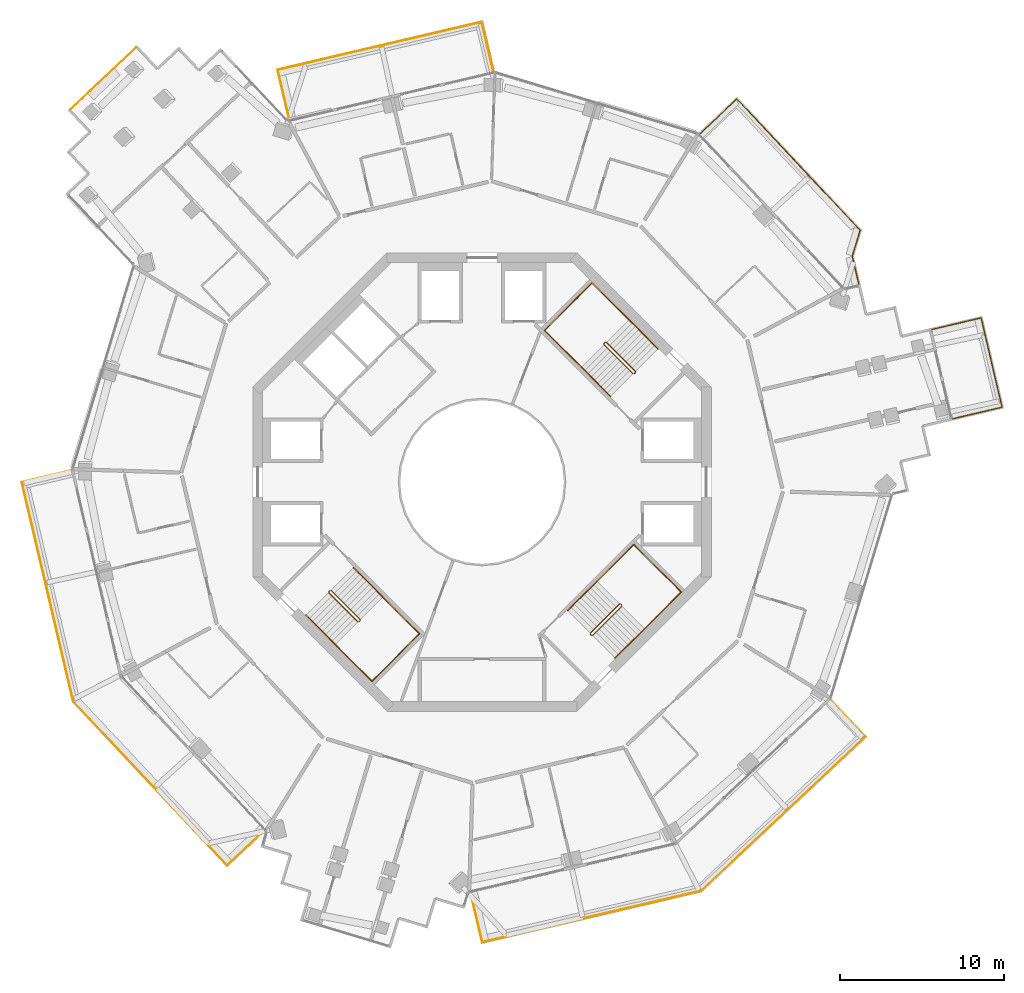
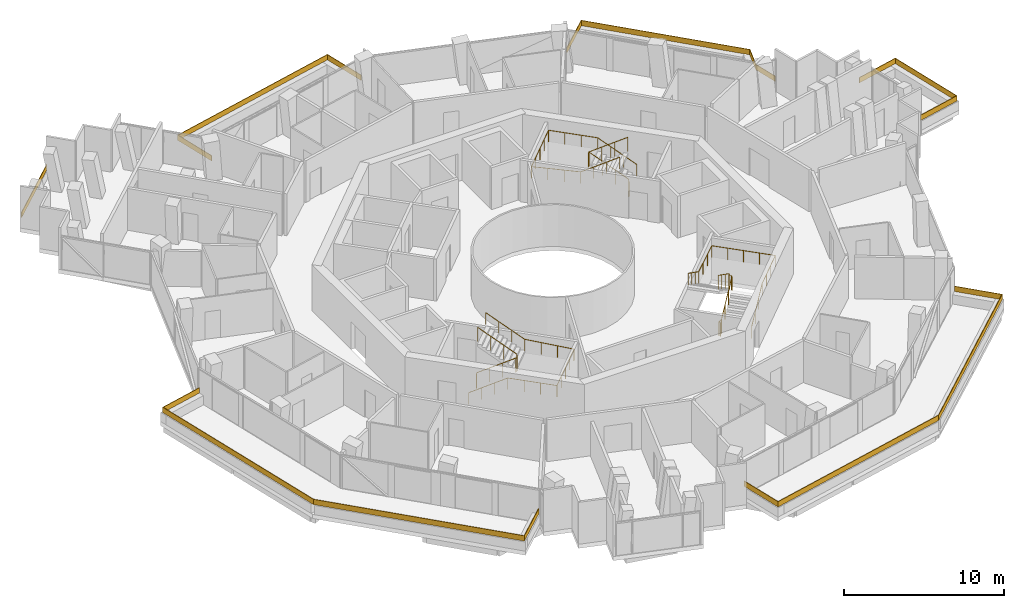
# One storey, part 24 of 24: 12 railings.
"""IFC4 building model written with IfcOpenShell, lengths in metres."""

from ifc_helpers import new_model, si_unit, direction, frame, origin, origin_2d, place, context, subcontext, project, spatial, polyline, rectangle, circle, outline, extrude, material, layer, layer_set, type_object, element, save


model = new_model("IFC4")

# Units and contexts
model_context = context("Model", 3, precision=1e-05, world=origin(), true_north=direction((0.0, 1.0)))
body_context = subcontext(model_context, "Body", "Model", "MODEL_VIEW")
ifc_project = project(units=[si_unit("LENGTHUNIT", "METRE"), si_unit("AREAUNIT", "SQUARE_METRE"), si_unit("VOLUMEUNIT", "CUBIC_METRE"), si_unit("PLANEANGLEUNIT", "RADIAN"), si_unit("MASSUNIT", "GRAM", prefix="KILO")], contexts=[model_context])

# Site, building, storey
site_placement = place(None, origin())
site = spatial("IfcSite", under=ifc_project, at=site_placement, CompositionType="ELEMENT")
building_placement = place(site_placement, origin())
building = spatial("IfcBuilding", under=site, at=building_placement, Name="Verdalira Terraces Hotel", CompositionType="ELEMENT")
storey_placement = place(building_placement, frame((0.0, 0.0, 209.0)))
storey = spatial("IfcBuildingStorey", under=building, at=storey_placement, Name="L51", CompositionType="ELEMENT", Elevation=209.0)

# Railings
ifc_material_1 = material(Name="Laminated glass", Category="glass")
ifc_layer = layer(ifc_material_1, 0.0400390625)
ifc_layer_set = layer_set([ifc_layer], Name="Balcony glass guard 400")
railing_type_1 = type_object("IfcRailingType", Name="Balcony glass guard 400", PredefinedType="GUARDRAIL", material=ifc_layer_set)
railing_1_placement = place(storey_placement, frame((0.0, 0.0, 0.699951)))
element("IfcRailing", 1, at=railing_1_placement, inside=storey, type_object=railing_type_1, Name="Balcony glass guard", PredefinedType="GUARDRAIL", context=body_context, shape_type="SweptSolid", body=[
    extrude(outline(polyline([(-28.072998, -0.03125), (-24.943359, -13.374512), (-15.561279, -23.365234), (-13.316895, -21.257568), (-13.289551, -21.286621), (-15.563232, -23.421631), (-24.979736, -13.394043), (-28.121094, -0.001465), (-25.084473, 0.710693), (-25.075195, 0.671875), (-28.072998, -0.03125)])), origin(), (0.0, 0.0, 1.0), 0.400146),
])
railing_2_placement = place(storey_placement, frame((0.0, 0.0, 0.699951)))
element("IfcRailing", 2, at=railing_2_placement, inside=storey, type_object=railing_type_1, Name="Balcony glass guard", PredefinedType="GUARDRAIL", context=body_context, shape_type="SweptSolid", body=[
    extrude(outline(polyline([(0.03125, -28.072998), (13.374512, -24.943359), (23.365234, -15.561279), (21.257568, -13.316895), (21.286621, -13.289551), (23.421631, -15.563232), (13.394043, -24.979736), (0.001465, -28.121094), (-0.710693, -25.084473), (-0.671875, -25.075195), (0.03125, -28.072998)])), origin(), (0.0, 0.0, 1.0), 0.400146),
])
railing_3_placement = place(storey_placement, frame((0.0, 0.0, 0.699951)))
element("IfcRailing", 3, at=railing_3_placement, inside=storey, type_object=railing_type_1, Name="Balcony glass guard", PredefinedType="GUARDRAIL", context=body_context, shape_type="SweptSolid", body=[
    extrude(outline(polyline([(31.729248, 4.58667), (30.459717, 9.999756), (27.461914, 9.296631), (27.452881, 9.335449), (30.489502, 10.047852), (31.777344, 4.556885), (28.740723, 3.844482), (28.731689, 3.883545), (31.729248, 4.58667)])), origin(), (0.0, 0.0, 1.0), 0.400146),
])
railing_4_placement = place(storey_placement, frame((0.0, 0.0, 0.699951)))
element("IfcRailing", 4, at=railing_4_placement, inside=storey, type_object=railing_type_1, Name="Balcony glass guard", PredefinedType="GUARDRAIL", context=body_context, shape_type="SweptSolid", body=[
    extrude(outline(polyline([(22.586914, 13.786133), (23.066162, 15.373291), (15.561279, 23.365234), (13.316895, 21.257568), (13.289551, 21.286621), (15.563232, 23.421631), (23.111084, 15.384033), (22.628418, 13.784912), (23.028564, 12.078613), (22.989746, 12.06958), (22.586914, 13.786133)])), origin(), (0.0, 0.0, 1.0), 0.400146),
])
railing_5_placement = place(storey_placement, frame((0.0, 0.0, 0.699951)))
element("IfcRailing", 5, at=railing_5_placement, inside=storey, type_object=railing_type_1, Name="Balcony glass guard", PredefinedType="GUARDRAIL", context=body_context, shape_type="SweptSolid", body=[
    extrude(outline(polyline([(-0.03125, 28.072998), (-12.454102, 25.15918), (-11.750977, 22.161377), (-11.790039, 22.152344), (-12.502197, 25.188965), (-0.001465, 28.121094), (0.710693, 25.084473), (0.671875, 25.075195), (-0.03125, 28.072998)])), origin(), (0.0, 0.0, 1.0), 0.400146),
])
railing_6_placement = place(storey_placement, frame((-23.140137, 24.641846, 0.699951), z_axis=(0.0, 0.0, 1.0), x_axis=(-0.728968627, -0.684547106, 0.0)))
element("IfcRailing", 6, at=railing_6_placement, inside=storey, type_object=railing_type_1, Name="Loggia glass guard", PredefinedType="GUARDRAIL", context=body_context, shape_type="SweptSolid", body=[
    extrude(rectangle(XDim=5.5, YDim=0.040039, at=origin_2d()), origin(), (0.0, 0.0, 1.0), 0.399902),
])
ifc_material_2 = material(Name="Stainless steel", Category="steel")
railing_type_2 = type_object("IfcRailingType", Name="Stair guard 1100", PredefinedType="GUARDRAIL", material=ifc_material_2)
railing_7_placement = place(storey_placement, frame((9.369141, 6.682129, 0.0)))
element("IfcRailing", 7, at=railing_7_placement, inside=storey, type_object=railing_type_2, Name="L51 ST1 stair guard 1", PredefinedType="GUARDRAIL", context=body_context, shape_type="SweptSolid", body=[
    extrude(circle(Radius=0.023926, at=origin_2d()), frame((0.0, 0.0, 1.076172), z_axis=(-0.707106781, -0.707106781, 0.0), x_axis=(0.707106781, -0.707106781, 0.0)), (0.0, 0.0, 1.0), 0.100098),
    extrude(circle(Radius=0.023926, at=origin_2d()), frame((-0.070801, -0.070801, 1.076172), z_axis=(0.299976798, 0.599953596, 0.741666773), x_axis=(-0.894427191, 0.447213596, 0.0)), (0.0, 0.0, 1.0), 0.236084),
    extrude(circle(Radius=0.023926, at=origin_2d()), frame((0.0, 0.070801, 1.250977), z_axis=(-0.599667044, 0.599584886, 0.529997548), x_axis=(-0.707058338, -0.707155221, 0.0)), (0.0, 0.0, 1.0), 2.97168),
    extrude(circle(Radius=0.023926, at=origin_2d()), frame((-1.781982, 1.852539, 2.826172), z_axis=(-1.0, 0.0, 0.0), x_axis=(0.0, -1.0, 0.0)), (0.0, 0.0, 1.0), 0.070557),
    extrude(circle(Radius=0.023926, at=origin_2d()), frame((-1.852539, 1.852539, 2.826172), z_axis=(-0.70832698, -0.705884473, 0.0), x_axis=(0.705884473, -0.70832698, 0.0)), (0.0, 0.0, 1.0), 0.099854),
    extrude(circle(Radius=0.023926, at=origin_2d()), frame((-1.92334, 1.781982, 2.826172), z_axis=(0.0, -0.374954687, 0.92704314), x_axis=(1.0, 0.0, 0.0)), (0.0, 0.0, 1.0), 0.188721),
    extrude(circle(Radius=0.023926, at=origin_2d()), frame((-1.92334, 1.711182, 3.000977), z_axis=(0.599637504, -0.599637504, 0.52997144), x_axis=(0.707106781, 0.707106781, 0.0)), (0.0, 0.0, 1.0), 2.97168),
    extrude(circle(Radius=0.020996, at=origin_2d()), origin(), (0.0, 0.0, 1.0), 1.052002),
    extrude(circle(Radius=0.020996, at=origin_2d()), frame((-0.070801, -0.070801, 0.0)), (0.0, 0.0, 1.0), 1.052002),
    extrude(circle(Radius=0.020996, at=origin_2d()), frame((0.0, 0.070801, 0.175049)), (0.0, 0.0, 1.0), 1.052002),
    extrude(circle(Radius=0.020996, at=origin_2d()), frame((-0.593994, 0.664795, 0.699951)), (0.0, 0.0, 1.0), 1.052002),
    extrude(circle(Radius=0.020996, at=origin_2d()), frame((-1.187988, 1.258545, 1.225098)), (0.0, 0.0, 1.0), 1.052002),
    extrude(circle(Radius=0.020996, at=origin_2d()), frame((-1.781982, 1.852539, 1.75)), (0.0, 0.0, 1.0), 1.052002),
    extrude(circle(Radius=0.020996, at=origin_2d()), frame((-1.852539, 1.852539, 1.75)), (0.0, 0.0, 1.0), 1.052002),
    extrude(circle(Radius=0.020996, at=origin_2d()), frame((-1.92334, 1.781982, 1.75)), (0.0, 0.0, 1.0), 1.052002),
    extrude(circle(Radius=0.020996, at=origin_2d()), frame((-1.92334, 1.711182, 1.925049)), (0.0, 0.0, 1.0), 1.052002),
    extrude(circle(Radius=0.020996, at=origin_2d()), frame((-1.329346, 1.117188, 2.449951)), (0.0, 0.0, 1.0), 1.052002),
    extrude(circle(Radius=0.020996, at=origin_2d()), frame((-0.735352, 0.523193, 2.975098)), (0.0, 0.0, 1.0), 1.052002),
    extrude(circle(Radius=0.020996, at=origin_2d()), frame((-0.141357, -0.070801, 3.5)), (0.0, 0.0, 1.0), 1.052002),
])
railing_8_placement = place(storey_placement, frame((-9.369141, -6.682129, 0.0)))
element("IfcRailing", 8, at=railing_8_placement, inside=storey, type_object=railing_type_2, Name="L51 ST2 stair guard 1", PredefinedType="GUARDRAIL", context=body_context, shape_type="SweptSolid", body=[
    extrude(circle(Radius=0.023926, at=origin_2d()), frame((0.0, 0.0, 1.076172), z_axis=(0.707106781, 0.707106781, 0.0), x_axis=(-0.707106781, 0.707106781, 0.0)), (0.0, 0.0, 1.0), 0.100098),
    extrude(circle(Radius=0.023926, at=origin_2d()), frame((0.070801, 0.070801, 1.076172), z_axis=(-0.299976798, -0.599953596, 0.741666773), x_axis=(0.894427191, -0.447213596, 0.0)), (0.0, 0.0, 1.0), 0.236084),
    extrude(circle(Radius=0.023926, at=origin_2d()), frame((0.0, -0.070801, 1.250977), z_axis=(0.599667044, -0.599584886, 0.529997548), x_axis=(0.707058338, 0.707155221, 0.0)), (0.0, 0.0, 1.0), 2.97168),
    extrude(circle(Radius=0.023926, at=origin_2d()), frame((1.781982, -1.852539, 2.826172), z_axis=(1.0, 0.0, 0.0), x_axis=(0.0, 1.0, 0.0)), (0.0, 0.0, 1.0), 0.070557),
    extrude(circle(Radius=0.023926, at=origin_2d()), frame((1.852539, -1.852539, 2.826172), z_axis=(0.70832698, 0.705884473, 0.0), x_axis=(-0.705884473, 0.70832698, 0.0)), (0.0, 0.0, 1.0), 0.099854),
    extrude(circle(Radius=0.023926, at=origin_2d()), frame((1.92334, -1.781982, 2.826172), z_axis=(0.0, 0.374954687, 0.92704314), x_axis=(-1.0, 0.0, 0.0)), (0.0, 0.0, 1.0), 0.188721),
    extrude(circle(Radius=0.023926, at=origin_2d()), frame((1.92334, -1.711182, 3.000977), z_axis=(-0.599637504, 0.599637504, 0.52997144), x_axis=(-0.707106781, -0.707106781, 0.0)), (0.0, 0.0, 1.0), 2.97168),
    extrude(circle(Radius=0.020996, at=origin_2d()), origin(), (0.0, 0.0, 1.0), 1.052002),
    extrude(circle(Radius=0.020996, at=origin_2d()), frame((0.070801, 0.070801, 0.0)), (0.0, 0.0, 1.0), 1.052002),
    extrude(circle(Radius=0.020996, at=origin_2d()), frame((0.0, -0.070801, 0.175049)), (0.0, 0.0, 1.0), 1.052002),
    extrude(circle(Radius=0.020996, at=origin_2d()), frame((0.593994, -0.664795, 0.699951)), (0.0, 0.0, 1.0), 1.052002),
    extrude(circle(Radius=0.020996, at=origin_2d()), frame((1.187988, -1.258545, 1.225098)), (0.0, 0.0, 1.0), 1.052002),
    extrude(circle(Radius=0.020996, at=origin_2d()), frame((1.781982, -1.852539, 1.75)), (0.0, 0.0, 1.0), 1.052002),
    extrude(circle(Radius=0.020996, at=origin_2d()), frame((1.852539, -1.852539, 1.75)), (0.0, 0.0, 1.0), 1.052002),
    extrude(circle(Radius=0.020996, at=origin_2d()), frame((1.92334, -1.781982, 1.75)), (0.0, 0.0, 1.0), 1.052002),
    extrude(circle(Radius=0.020996, at=origin_2d()), frame((1.92334, -1.711182, 1.925049)), (0.0, 0.0, 1.0), 1.052002),
    extrude(circle(Radius=0.020996, at=origin_2d()), frame((1.329346, -1.117188, 2.449951)), (0.0, 0.0, 1.0), 1.052002),
    extrude(circle(Radius=0.020996, at=origin_2d()), frame((0.735352, -0.523193, 2.975098)), (0.0, 0.0, 1.0), 1.052002),
    extrude(circle(Radius=0.020996, at=origin_2d()), frame((0.141357, 0.070801, 3.5)), (0.0, 0.0, 1.0), 1.052002),
])
railing_9_placement = place(storey_placement, frame((6.682129, -9.369141, 0.0)))
element("IfcRailing", 9, at=railing_9_placement, inside=storey, type_object=railing_type_2, Name="L51 ST3 stair guard 1", PredefinedType="GUARDRAIL", context=body_context, shape_type="SweptSolid", body=[
    extrude(circle(Radius=0.023926, at=origin_2d()), frame((0.0, 0.0, 1.076172), z_axis=(-0.707106781, 0.707106781, 0.0), x_axis=(-0.707106781, -0.707106781, 0.0)), (0.0, 0.0, 1.0), 0.100098),
    extrude(circle(Radius=0.023926, at=origin_2d()), frame((-0.070801, 0.070801, 1.076172), z_axis=(0.599953596, -0.299976798, 0.741666773), x_axis=(0.447213596, 0.894427191, 0.0)), (0.0, 0.0, 1.0), 0.236084),
    extrude(circle(Radius=0.023926, at=origin_2d()), frame((0.070801, 0.0, 1.250977), z_axis=(0.599584886, 0.599667044, 0.529997548), x_axis=(-0.707155221, 0.707058338, 0.0)), (0.0, 0.0, 1.0), 2.97168),
    extrude(circle(Radius=0.023926, at=origin_2d()), frame((1.852539, 1.781982, 2.826172), z_axis=(0.0, 1.0, 0.0), x_axis=(-1.0, 0.0, 0.0)), (0.0, 0.0, 1.0), 0.070557),
    extrude(circle(Radius=0.023926, at=origin_2d()), frame((1.852539, 1.852539, 2.826172), z_axis=(-0.705884473, 0.70832698, 0.0), x_axis=(-0.70832698, -0.705884473, 0.0)), (0.0, 0.0, 1.0), 0.099854),
    extrude(circle(Radius=0.023926, at=origin_2d()), frame((1.781982, 1.92334, 2.826172), z_axis=(-0.374954687, 0.0, 0.92704314), x_axis=(0.0, -1.0, 0.0)), (0.0, 0.0, 1.0), 0.188721),
    extrude(circle(Radius=0.023926, at=origin_2d()), frame((1.711182, 1.92334, 3.000977), z_axis=(-0.599637504, -0.599637504, 0.52997144), x_axis=(0.707106781, -0.707106781, 0.0)), (0.0, 0.0, 1.0), 2.97168),
    extrude(circle(Radius=0.020996, at=origin_2d()), origin(), (0.0, 0.0, 1.0), 1.052002),
    extrude(circle(Radius=0.020996, at=origin_2d()), frame((-0.070801, 0.070801, 0.0)), (0.0, 0.0, 1.0), 1.052002),
    extrude(circle(Radius=0.020996, at=origin_2d()), frame((0.070801, 0.0, 0.175049)), (0.0, 0.0, 1.0), 1.052002),
    extrude(circle(Radius=0.020996, at=origin_2d()), frame((0.664795, 0.593994, 0.699951)), (0.0, 0.0, 1.0), 1.052002),
    extrude(circle(Radius=0.020996, at=origin_2d()), frame((1.258545, 1.187988, 1.225098)), (0.0, 0.0, 1.0), 1.052002),
    extrude(circle(Radius=0.020996, at=origin_2d()), frame((1.852539, 1.781982, 1.75)), (0.0, 0.0, 1.0), 1.052002),
    extrude(circle(Radius=0.020996, at=origin_2d()), frame((1.852539, 1.852539, 1.75)), (0.0, 0.0, 1.0), 1.052002),
    extrude(circle(Radius=0.020996, at=origin_2d()), frame((1.781982, 1.92334, 1.75)), (0.0, 0.0, 1.0), 1.052002),
    extrude(circle(Radius=0.020996, at=origin_2d()), frame((1.711182, 1.92334, 1.925049)), (0.0, 0.0, 1.0), 1.052002),
    extrude(circle(Radius=0.020996, at=origin_2d()), frame((1.117188, 1.329346, 2.449951)), (0.0, 0.0, 1.0), 1.052002),
    extrude(circle(Radius=0.020996, at=origin_2d()), frame((0.523193, 0.735352, 2.975098)), (0.0, 0.0, 1.0), 1.052002),
    extrude(circle(Radius=0.020996, at=origin_2d()), frame((-0.070801, 0.141357, 3.5)), (0.0, 0.0, 1.0), 1.052002),
])
ifc_material_3 = material(Name="Stainless steel", Category="steel")
railing_type_3 = type_object("IfcRailingType", Name="Stair handrail 900", PredefinedType="HANDRAIL", material=ifc_material_3)
railing_10_placement = place(storey_placement, frame((10.748047, 8.131836, 0.175049)))
element("IfcRailing", 10, at=railing_10_placement, inside=storey, type_object=railing_type_3, Name="L51 ST1 stair handrail 1", PredefinedType="HANDRAIL", context=body_context, shape_type="SweptSolid", body=[
    extrude(circle(Radius=0.023926, at=origin_2d()), frame((0.0, 0.0, 0.875977), z_axis=(-0.599667044, 0.599584886, 0.529997548), x_axis=(-0.707058338, -0.707155221, 0.0)), (0.0, 0.0, 1.0), 2.97168),
    extrude(circle(Radius=0.023926, at=origin_2d()), frame((-1.781982, 1.781738, 2.450684), z_axis=(-0.707068394, 0.707145166, 0.0), x_axis=(-0.707145166, -0.707068394, 0.0)), (0.0, 0.0, 1.0), 3.180176),
    extrude(circle(Radius=0.023926, at=origin_2d()), frame((-4.030518, 4.030518, 2.450684), z_axis=(-0.707106781, -0.707106781, 0.0), x_axis=(0.707106781, -0.707106781, 0.0)), (0.0, 0.0, 1.0), 4.100098),
    extrude(circle(Radius=0.023926, at=origin_2d()), frame((-6.929688, 1.131348, 2.450684), z_axis=(0.705999616, -0.706076271, 0.054962185), x_axis=(0.707145166, 0.707068394, 0.0)), (0.0, 0.0, 1.0), 3.184814),
    extrude(circle(Radius=0.023926, at=origin_2d()), frame((-4.681152, -1.117432, 2.625977), z_axis=(0.599667044, -0.599584886, 0.529997548), x_axis=(0.707058338, 0.707155221, 0.0)), (0.0, 0.0, 1.0), 2.97168),
    extrude(circle(Radius=0.020996, at=origin_2d()), origin(), (0.0, 0.0, 1.0), 0.851807),
    extrude(circle(Radius=0.020996, at=origin_2d()), frame((-0.593994, 0.593994, 0.524902)), (0.0, 0.0, 1.0), 0.851807),
    extrude(circle(Radius=0.020996, at=origin_2d()), frame((-1.187988, 1.187744, 1.050049)), (0.0, 0.0, 1.0), 0.851807),
    extrude(circle(Radius=0.020996, at=origin_2d()), frame((-1.781982, 1.781738, 1.574951)), (0.0, 0.0, 1.0), 0.851807),
    extrude(circle(Radius=0.020996, at=origin_2d()), frame((-2.531494, 2.53125, 1.574951)), (0.0, 0.0, 1.0), 0.851807),
    extrude(circle(Radius=0.020996, at=origin_2d()), frame((-3.281006, 3.281006, 1.574951)), (0.0, 0.0, 1.0), 0.851807),
    extrude(circle(Radius=0.020996, at=origin_2d()), frame((-4.030518, 4.030518, 1.574951)), (0.0, 0.0, 1.0), 0.851807),
    extrude(circle(Radius=0.020996, at=origin_2d()), frame((-4.755371, 3.305664, 1.574951)), (0.0, 0.0, 1.0), 0.851807),
    extrude(circle(Radius=0.020996, at=origin_2d()), frame((-5.47998, 2.581055, 1.574951)), (0.0, 0.0, 1.0), 0.851807),
    extrude(circle(Radius=0.020996, at=origin_2d()), frame((-6.204834, 1.856201, 1.574951)), (0.0, 0.0, 1.0), 0.851807),
    extrude(circle(Radius=0.020996, at=origin_2d()), frame((-6.929688, 1.131348, 1.574951)), (0.0, 0.0, 1.0), 0.851807),
    extrude(circle(Radius=0.020996, at=origin_2d()), frame((-6.180176, 0.381836, 1.633301)), (0.0, 0.0, 1.0), 0.851807),
    extrude(circle(Radius=0.020996, at=origin_2d()), frame((-5.430664, -0.36792, 1.69165)), (0.0, 0.0, 1.0), 0.851807),
    extrude(circle(Radius=0.020996, at=origin_2d()), frame((-4.681152, -1.117432, 1.75)), (0.0, 0.0, 1.0), 0.851807),
    extrude(circle(Radius=0.020996, at=origin_2d()), frame((-4.087158, -1.711426, 2.274902)), (0.0, 0.0, 1.0), 0.851807),
    extrude(circle(Radius=0.020996, at=origin_2d()), frame((-3.493164, -2.305176, 2.800049)), (0.0, 0.0, 1.0), 0.851807),
    extrude(circle(Radius=0.020996, at=origin_2d()), frame((-2.89917, -2.89917, 3.324951)), (0.0, 0.0, 1.0), 0.851807),
])
railing_11_placement = place(storey_placement, frame((-10.748047, -8.131836, 0.175049)))
element("IfcRailing", 11, at=railing_11_placement, inside=storey, type_object=railing_type_3, Name="L51 ST2 stair handrail 1", PredefinedType="HANDRAIL", context=body_context, shape_type="SweptSolid", body=[
    extrude(circle(Radius=0.023926, at=origin_2d()), frame((0.0, 0.0, 0.875977), z_axis=(0.599667044, -0.599584886, 0.529997548), x_axis=(0.707058338, 0.707155221, 0.0)), (0.0, 0.0, 1.0), 2.97168),
    extrude(circle(Radius=0.023926, at=origin_2d()), frame((1.781982, -1.781738, 2.450684), z_axis=(0.707068394, -0.707145166, 0.0), x_axis=(0.707145166, 0.707068394, 0.0)), (0.0, 0.0, 1.0), 3.180176),
    extrude(circle(Radius=0.023926, at=origin_2d()), frame((4.030518, -4.030518, 2.450684), z_axis=(0.707106781, 0.707106781, 0.0), x_axis=(-0.707106781, 0.707106781, 0.0)), (0.0, 0.0, 1.0), 4.100098),
    extrude(circle(Radius=0.023926, at=origin_2d()), frame((6.929688, -1.131348, 2.450684), z_axis=(-0.705999616, 0.706076271, 0.054962185), x_axis=(-0.707145166, -0.707068394, 0.0)), (0.0, 0.0, 1.0), 3.184814),
    extrude(circle(Radius=0.023926, at=origin_2d()), frame((4.681152, 1.117432, 2.625977), z_axis=(-0.599667044, 0.599584886, 0.529997548), x_axis=(-0.707058338, -0.707155221, 0.0)), (0.0, 0.0, 1.0), 2.97168),
    extrude(circle(Radius=0.020996, at=origin_2d()), origin(), (0.0, 0.0, 1.0), 0.851807),
    extrude(circle(Radius=0.020996, at=origin_2d()), frame((0.593994, -0.593994, 0.524902)), (0.0, 0.0, 1.0), 0.851807),
    extrude(circle(Radius=0.020996, at=origin_2d()), frame((1.187988, -1.187744, 1.050049)), (0.0, 0.0, 1.0), 0.851807),
    extrude(circle(Radius=0.020996, at=origin_2d()), frame((1.781982, -1.781738, 1.574951)), (0.0, 0.0, 1.0), 0.851807),
    extrude(circle(Radius=0.020996, at=origin_2d()), frame((2.531494, -2.53125, 1.574951)), (0.0, 0.0, 1.0), 0.851807),
    extrude(circle(Radius=0.020996, at=origin_2d()), frame((3.281006, -3.281006, 1.574951)), (0.0, 0.0, 1.0), 0.851807),
    extrude(circle(Radius=0.020996, at=origin_2d()), frame((4.030518, -4.030518, 1.574951)), (0.0, 0.0, 1.0), 0.851807),
    extrude(circle(Radius=0.020996, at=origin_2d()), frame((4.755371, -3.305664, 1.574951)), (0.0, 0.0, 1.0), 0.851807),
    extrude(circle(Radius=0.020996, at=origin_2d()), frame((5.47998, -2.581055, 1.574951)), (0.0, 0.0, 1.0), 0.851807),
    extrude(circle(Radius=0.020996, at=origin_2d()), frame((6.204834, -1.856201, 1.574951)), (0.0, 0.0, 1.0), 0.851807),
    extrude(circle(Radius=0.020996, at=origin_2d()), frame((6.929688, -1.131348, 1.574951)), (0.0, 0.0, 1.0), 0.851807),
    extrude(circle(Radius=0.020996, at=origin_2d()), frame((6.180176, -0.381836, 1.633301)), (0.0, 0.0, 1.0), 0.851807),
    extrude(circle(Radius=0.020996, at=origin_2d()), frame((5.430664, 0.36792, 1.69165)), (0.0, 0.0, 1.0), 0.851807),
    extrude(circle(Radius=0.020996, at=origin_2d()), frame((4.681152, 1.117432, 1.75)), (0.0, 0.0, 1.0), 0.851807),
    extrude(circle(Radius=0.020996, at=origin_2d()), frame((4.087158, 1.711426, 2.274902)), (0.0, 0.0, 1.0), 0.851807),
    extrude(circle(Radius=0.020996, at=origin_2d()), frame((3.493164, 2.305176, 2.800049)), (0.0, 0.0, 1.0), 0.851807),
    extrude(circle(Radius=0.020996, at=origin_2d()), frame((2.89917, 2.89917, 3.324951)), (0.0, 0.0, 1.0), 0.851807),
])
railing_12_placement = place(storey_placement, frame((8.131836, -10.748047, 0.175049)))
element("IfcRailing", 12, at=railing_12_placement, inside=storey, type_object=railing_type_3, Name="L51 ST3 stair handrail 1", PredefinedType="HANDRAIL", context=body_context, shape_type="SweptSolid", body=[
    extrude(circle(Radius=0.023926, at=origin_2d()), frame((0.0, 0.0, 0.875977), z_axis=(0.599584886, 0.599667044, 0.529997548), x_axis=(-0.707155221, 0.707058338, 0.0)), (0.0, 0.0, 1.0), 2.97168),
    extrude(circle(Radius=0.023926, at=origin_2d()), frame((1.781738, 1.781982, 2.450684), z_axis=(0.707145166, 0.707068394, 0.0), x_axis=(-0.707068394, 0.707145166, 0.0)), (0.0, 0.0, 1.0), 3.180176),
    extrude(circle(Radius=0.023926, at=origin_2d()), frame((4.030518, 4.030518, 2.450684), z_axis=(-0.707106781, 0.707106781, 0.0), x_axis=(-0.707106781, -0.707106781, 0.0)), (0.0, 0.0, 1.0), 4.100098),
    extrude(circle(Radius=0.023926, at=origin_2d()), frame((1.131348, 6.929688, 2.450684), z_axis=(-0.706076271, -0.705999616, 0.054962185), x_axis=(0.707068394, -0.707145166, 0.0)), (0.0, 0.0, 1.0), 3.184814),
    extrude(circle(Radius=0.023926, at=origin_2d()), frame((-1.117432, 4.681152, 2.625977), z_axis=(-0.599584886, -0.599667044, 0.529997548), x_axis=(0.707155221, -0.707058338, 0.0)), (0.0, 0.0, 1.0), 2.97168),
    extrude(circle(Radius=0.020996, at=origin_2d()), origin(), (0.0, 0.0, 1.0), 0.851807),
    extrude(circle(Radius=0.020996, at=origin_2d()), frame((0.593994, 0.593994, 0.524902)), (0.0, 0.0, 1.0), 0.851807),
    extrude(circle(Radius=0.020996, at=origin_2d()), frame((1.187744, 1.187988, 1.050049)), (0.0, 0.0, 1.0), 0.851807),
    extrude(circle(Radius=0.020996, at=origin_2d()), frame((1.781738, 1.781982, 1.574951)), (0.0, 0.0, 1.0), 0.851807),
    extrude(circle(Radius=0.020996, at=origin_2d()), frame((2.53125, 2.531494, 1.574951)), (0.0, 0.0, 1.0), 0.851807),
    extrude(circle(Radius=0.020996, at=origin_2d()), frame((3.281006, 3.281006, 1.574951)), (0.0, 0.0, 1.0), 0.851807),
    extrude(circle(Radius=0.020996, at=origin_2d()), frame((4.030518, 4.030518, 1.574951)), (0.0, 0.0, 1.0), 0.851807),
    extrude(circle(Radius=0.020996, at=origin_2d()), frame((3.305664, 4.755371, 1.574951)), (0.0, 0.0, 1.0), 0.851807),
    extrude(circle(Radius=0.020996, at=origin_2d()), frame((2.581055, 5.47998, 1.574951)), (0.0, 0.0, 1.0), 0.851807),
    extrude(circle(Radius=0.020996, at=origin_2d()), frame((1.856201, 6.204834, 1.574951)), (0.0, 0.0, 1.0), 0.851807),
    extrude(circle(Radius=0.020996, at=origin_2d()), frame((1.131348, 6.929688, 1.574951)), (0.0, 0.0, 1.0), 0.851807),
    extrude(circle(Radius=0.020996, at=origin_2d()), frame((0.381836, 6.180176, 1.633301)), (0.0, 0.0, 1.0), 0.851807),
    extrude(circle(Radius=0.020996, at=origin_2d()), frame((-0.36792, 5.430664, 1.69165)), (0.0, 0.0, 1.0), 0.851807),
    extrude(circle(Radius=0.020996, at=origin_2d()), frame((-1.117432, 4.681152, 1.75)), (0.0, 0.0, 1.0), 0.851807),
    extrude(circle(Radius=0.020996, at=origin_2d()), frame((-1.711426, 4.087158, 2.274902)), (0.0, 0.0, 1.0), 0.851807),
    extrude(circle(Radius=0.020996, at=origin_2d()), frame((-2.305176, 3.493164, 2.800049)), (0.0, 0.0, 1.0), 0.851807),
    extrude(circle(Radius=0.020996, at=origin_2d()), frame((-2.89917, 2.89917, 3.324951)), (0.0, 0.0, 1.0), 0.851807),
])

save(model, "model.ifc")
